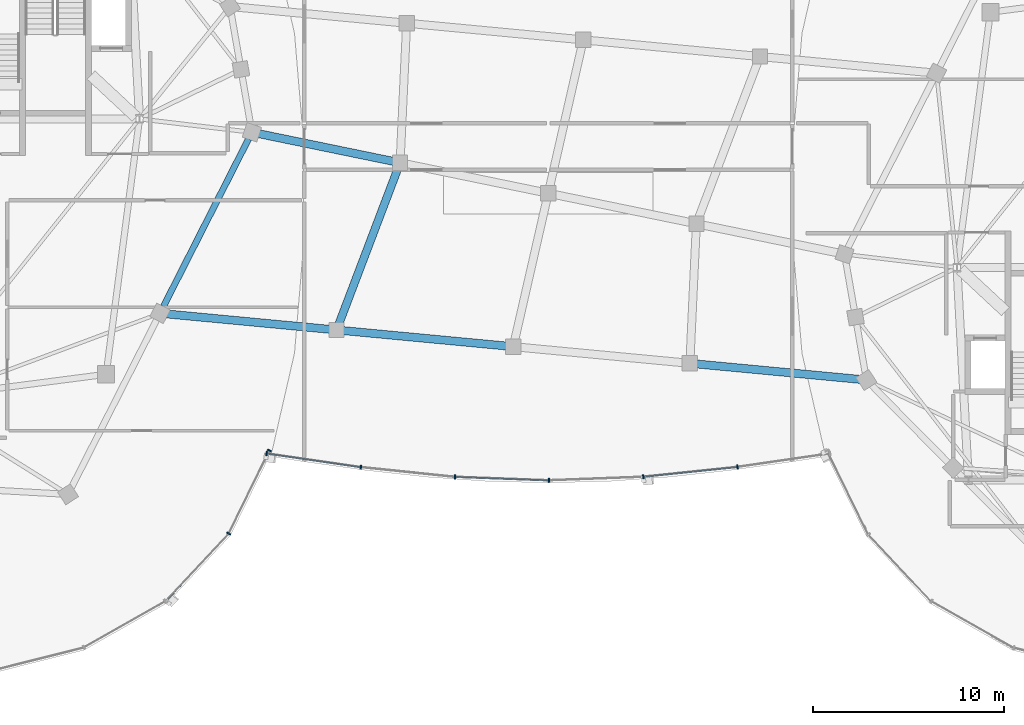
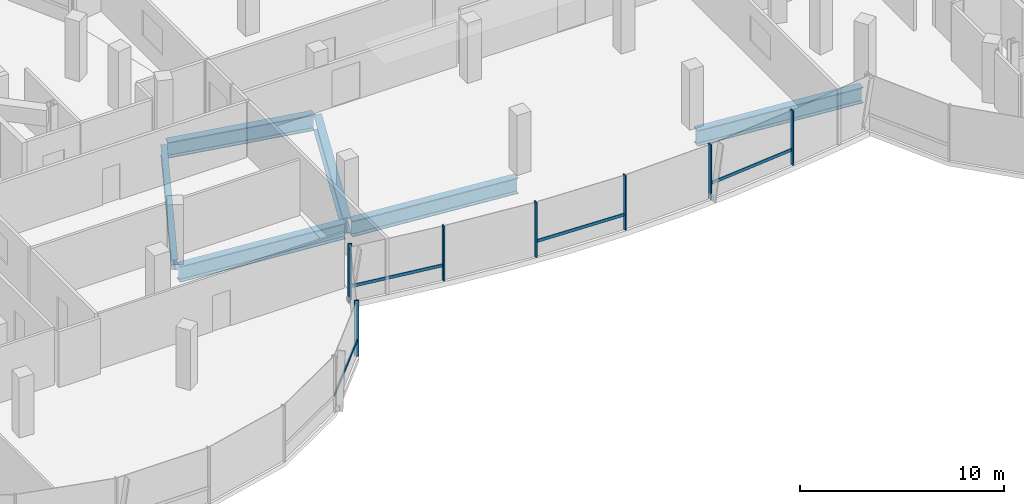
# One storey, part 4 of 26: 12 members, 6 beams, 2 elements without a shape of their own.
"""IFC4 building model written with IfcOpenShell, lengths in metres."""

from ifc_helpers import new_model, si_unit, direction, frame, origin, origin_2d, place, context, subcontext, project, spatial, rectangle, i_section, extrude, material, material_profile, profile_set, type_object, element, aggregate, save


model = new_model("IFC4")

# Units and contexts
model_context = context("Model", 3, precision=1e-05, world=origin(), true_north=direction((0.0, 1.0)))
body_context = subcontext(model_context, "Body", "Model", "MODEL_VIEW")
ifc_project = project(units=[si_unit("LENGTHUNIT", "METRE"), si_unit("AREAUNIT", "SQUARE_METRE"), si_unit("VOLUMEUNIT", "CUBIC_METRE"), si_unit("PLANEANGLEUNIT", "RADIAN"), si_unit("MASSUNIT", "GRAM", prefix="KILO"), si_unit("THERMODYNAMICTEMPERATUREUNIT", "KELVIN"), si_unit("POWERUNIT", "WATT")], contexts=[model_context])

# Site, building, storey
site_placement = place(None, origin())
site = spatial("IfcSite", under=ifc_project, at=site_placement, CompositionType="ELEMENT")
building_placement = place(site_placement, origin())
building = spatial("IfcBuilding", under=site, at=building_placement, Name="Cundina Bronze Exchange", CompositionType="ELEMENT")
storey_placement = place(building_placement, frame((0.0, 0.0, 243.199951171875)))
storey = spatial("IfcBuildingStorey", under=building, at=storey_placement, Name="L64", CompositionType="ELEMENT", Elevation=243.199951171875)

# Beams
ifc_material_1 = material(Name="Steel ASTM A992 Grade 50", Category="steel")
ifc_material_profile_1 = material_profile(ifc_material_1, i_section(OverallWidth=0.324951171875, OverallDepth=0.615966796875, WebThickness=0.013916015625, FlangeThickness=0.021484375, FilletRadius=0.01611328125, at=origin_2d()), Name="W24X117", Category="steel")
ifc_profile_set_1 = profile_set([ifc_material_profile_1], Name="Steel ASTM A992 Grade 50")
beam_type_1 = type_object("IfcBeamType", Name="BM-RING-W24", PredefinedType="USERDEFINED", material=ifc_profile_set_1)
beam_1_placement = place(storey_placement, frame((-20.19921875, -5.9541015625, -0.56787109375), z_axis=(0.452839263805, 0.891592171991, 0.0), x_axis=(-0.891592171991, 0.452839263805, 0.0)))
element("IfcBeam", 1, at=beam_1_placement, inside=storey, type_object=beam_type_1, Name="L64 W Perimeter Ring Girder 13", ObjectType="GIRDER", PredefinedType="USERDEFINED", context=body_context, shape_type="SweptSolid", body=[
    extrude(i_section(OverallWidth=0.324951171875, OverallDepth=0.615966796875, WebThickness=0.013916015625, FlangeThickness=0.021484375, FilletRadius=0.01611328125, at=origin_2d()), origin(), (0.0, 0.0, 1.0), 9.879150390625),
])
ifc_material_profile_2 = material_profile(ifc_material_1, i_section(OverallWidth=0.423095703125, OverallDepth=0.947998046875, WebThickness=0.02392578125, FlangeThickness=0.042724609375, FilletRadius=0.02392578125, at=origin_2d()), Name="W36X302", Category="steel")
ifc_profile_set_2 = profile_set([ifc_material_profile_2], Name="Steel ASTM A992 Grade 50")
beam_type_2 = type_object("IfcBeamType", Name="BM-WRN-W36A", PredefinedType="USERDEFINED", material=ifc_profile_set_2)
for number, where, z_axis, x_axis, name in (
    (2, (-20.19580078125, -6.31689453125, -0.7939453125), (0.995572136276, -0.094000646124, 0.0), (0.094000646124, 0.995572136276, 0.0), "L64 Sky-Gate Longitudinal Girder Y1-P1"),
    (3, (-10.927001953125, -7.19189453125, -0.7939453125), (0.995572136276, -0.094000646124, 0.0), (0.094000646124, 0.995572136276, 0.0), "L64 Sky-Gate Longitudinal Girder Y1-P2"),
):
    element("IfcBeam", number, at=place(storey_placement, frame(where, z_axis=z_axis, x_axis=x_axis)), inside=storey, type_object=beam_type_2, Name=name, ObjectType="GIRDER", PredefinedType="USERDEFINED", context=body_context, shape_type="SweptSolid", body=[
        extrude(i_section(OverallWidth=0.423095703125, OverallDepth=0.947998046875, WebThickness=0.02392578125, FlangeThickness=0.042724609375, FilletRadius=0.02392578125, at=origin_2d()), origin(), (0.0, 0.0, 1.0), 8.949951171875),
    ])
beam_2_placement = place(storey_placement, frame((7.610595703125, -8.94189453125, -0.7939453125), z_axis=(0.995571895232, -0.094003199007, 0.0), x_axis=(0.094003199007, 0.995571895232, 0.0)))
element("IfcBeam", 4, at=beam_2_placement, inside=storey, type_object=beam_type_2, Name="L64 Sky-Gate Longitudinal Girder Y1-P4", ObjectType="GIRDER", PredefinedType="USERDEFINED", context=body_context, shape_type="SweptSolid", body=[
    extrude(i_section(OverallWidth=0.423095703125, OverallDepth=0.947998046875, WebThickness=0.02392578125, FlangeThickness=0.042724609375, FilletRadius=0.02392578125, at=origin_2d()), origin(), (0.0, 0.0, 1.0), 8.94970703125),
])
beam_3_placement = place(storey_placement, frame((-15.373779296875, 3.163818359375, -0.7939453125), z_axis=(0.979471264571, -0.20158383338, 0.0), x_axis=(0.20158383338, 0.979471264571, 0.0)))
element("IfcBeam", 5, at=beam_3_placement, inside=storey, type_object=beam_type_2, Name="L64 Sky-Gate Longitudinal Girder Y2-P1", ObjectType="GIRDER", PredefinedType="USERDEFINED", context=body_context, shape_type="SweptSolid", body=[
    extrude(i_section(OverallWidth=0.423095703125, OverallDepth=0.947998046875, WebThickness=0.02392578125, FlangeThickness=0.042724609375, FilletRadius=0.02392578125, at=origin_2d()), origin(), (0.0, 0.0, 1.0), 7.577880859375),
])
ifc_material_profile_3 = material_profile(ifc_material_1, i_section(OverallWidth=0.41796875, OverallDepth=0.927001953125, WebThickness=0.019287109375, FlangeThickness=0.031982421875, FilletRadius=0.02392578125, at=origin_2d()), Name="W36X231", Category="steel")
ifc_profile_set_3 = profile_set([ifc_material_profile_3], Name="Steel ASTM A992 Grade 50")
beam_type_3 = type_object("IfcBeamType", Name="BM-WRN-W36B", PredefinedType="USERDEFINED", material=ifc_profile_set_3)
beam_4_placement = place(storey_placement, frame((-11.042236328125, -7.006591796875, -0.783447265625), z_axis=(0.354911890514, 0.934899753969, 0.0), x_axis=(-0.934899753969, 0.354911890514, 0.0)))
element("IfcBeam", 6, at=beam_4_placement, inside=storey, type_object=beam_type_3, Name="L64 Sky-Gate Transverse Girder X1-S", ObjectType="GIRDER", PredefinedType="USERDEFINED", context=body_context, shape_type="SweptSolid", body=[
    extrude(i_section(OverallWidth=0.41796875, OverallDepth=0.927001953125, WebThickness=0.019287109375, FlangeThickness=0.031982421875, FilletRadius=0.02392578125, at=origin_2d()), origin(), (0.0, 0.0, 1.0), 9.02587890625),
])

# Curtain wall, members
ifc_material_2 = material(Name="Anodised Bronze Aluminium 6063-T6", Category="aluminium")
curtain_wall_type = type_object("IfcCurtainWallType", Name="CWS-SKG-BRG", PredefinedType="NOTDEFINED", material=ifc_material_2)
curtain_wall_1_placement = place(storey_placement, origin())
curtain_wall_1 = element("IfcCurtainWall", 7, at=curtain_wall_1_placement, inside=storey, type_object=curtain_wall_type, Name="L64 CW-06 Curtain Wall Run CWR-L64-W4", PredefinedType="NOTDEFINED")
ifc_material_profile_4 = material_profile(ifc_material_2, rectangle(XDim=0.074951171875, YDim=0.219970703125, at=origin_2d()), Name="AL75X220", Category="aluminium")
ifc_profile_set_4 = profile_set([ifc_material_profile_4], Name="Anodised Bronze Aluminium 6063-T6")
member_type_1 = type_object("IfcMemberType", Name="CWM-MUL-220", PredefinedType="MULLION", material=ifc_profile_set_4)
member_1_placement = place(storey_placement, frame((-16.7666015625, -17.856689453125, 0.0), z_axis=(0.0, 0.0, 1.0), x_axis=(0.440566004113, 0.897720221461, 0.0)))
member_1 = element("IfcMember", 8, at=member_1_placement, type_object=member_type_1, Name="CW-06 Mullion 2", PredefinedType="MULLION", context=body_context, shape_type="SweptSolid", body=[
    extrude(rectangle(XDim=0.074951171875, YDim=0.219970703125, at=origin_2d()), origin(), (0.0, 0.0, 1.0), 3.340087890625),
])
member_2_placement = place(storey_placement, frame((-14.630859375, -13.50390625, 0.0), z_axis=(0.0, 0.0, 1.0), x_axis=(0.440566004113, 0.897720221461, 0.0)))
member_2 = element("IfcMember", 9, at=member_2_placement, type_object=member_type_1, Name="CW-06 End Mullion", PredefinedType="MULLION", context=body_context, shape_type="SweptSolid", body=[
    extrude(rectangle(XDim=0.074951171875, YDim=0.219970703125, at=origin_2d()), origin(), (0.0, 0.0, 1.0), 3.340087890625),
])

curtain_wall_2_placement = place(storey_placement, origin())
curtain_wall_2 = element("IfcCurtainWall", 10, at=curtain_wall_2_placement, inside=storey, type_object=curtain_wall_type, Name="L64 CW-06 Curtain Wall Run CWR-L64-BRGS", PredefinedType="NOTDEFINED")
member_3_placement = place(storey_placement, frame((-14.779296875, -13.658935546875, 0.0), z_axis=(0.0, 0.0, 1.0), x_axis=(0.989525789069, -0.144356201001, 0.0)))
member_3 = element("IfcMember", 11, at=member_3_placement, type_object=member_type_1, Name="CW-06 Mullion 1", PredefinedType="MULLION", context=body_context, shape_type="SweptSolid", body=[
    extrude(rectangle(XDim=0.074951171875, YDim=0.219970703125, at=origin_2d()), origin(), (0.0, 0.0, 1.0), 3.280029296875),
])
member_4_placement = place(storey_placement, frame((-9.83447265625, -14.378173828125, 0.0), z_axis=(0.0, 0.0, 1.0), x_axis=(0.994666875153, -0.103139747302, 0.0)))
member_4 = element("IfcMember", 12, at=member_4_placement, type_object=member_type_1, Name="CW-06 Mullion 2", PredefinedType="MULLION", context=body_context, shape_type="SweptSolid", body=[
    extrude(rectangle(XDim=0.074951171875, YDim=0.219970703125, at=origin_2d()), origin(), (0.0, 0.0, 1.0), 3.280029296875),
])
member_5_placement = place(storey_placement, frame((-4.892578125, -14.88720703125, 0.0), z_axis=(0.0, 0.0, 1.0), x_axis=(0.999302568116, -0.037341362551, 0.0)))
member_5 = element("IfcMember", 13, at=member_5_placement, type_object=member_type_1, Name="CW-06 Mullion 3", PredefinedType="MULLION", context=body_context, shape_type="SweptSolid", body=[
    extrude(rectangle(XDim=0.074951171875, YDim=0.219970703125, at=origin_2d()), origin(), (0.0, 0.0, 1.0), 3.280029296875),
])
member_6_placement = place(storey_placement, frame((0.047607421875, -15.068115234375, 0.0), z_axis=(0.0, 0.0, 1.0), x_axis=(0.999302568116, 0.037341362551, 0.0)))
member_6 = element("IfcMember", 14, at=member_6_placement, type_object=member_type_1, Name="CW-06 Mullion 4", PredefinedType="MULLION", context=body_context, shape_type="SweptSolid", body=[
    extrude(rectangle(XDim=0.074951171875, YDim=0.219970703125, at=origin_2d()), origin(), (0.0, 0.0, 1.0), 3.280029296875),
])
member_7_placement = place(storey_placement, frame((4.98876953125, -14.88037109375, 0.0), z_axis=(0.0, 0.0, 1.0), x_axis=(0.994666875153, 0.103139747302, 0.0)))
member_7 = element("IfcMember", 15, at=member_7_placement, type_object=member_type_1, Name="CW-06 Mullion 5", PredefinedType="MULLION", context=body_context, shape_type="SweptSolid", body=[
    extrude(rectangle(XDim=0.074951171875, YDim=0.219970703125, at=origin_2d()), origin(), (0.0, 0.0, 1.0), 3.280029296875),
])
member_8_placement = place(storey_placement, frame((9.93310546875, -14.36572265625, 0.0), z_axis=(0.0, 0.0, 1.0), x_axis=(0.989525789069, 0.144356201001, 0.0)))
member_8 = element("IfcMember", 16, at=member_8_placement, type_object=member_type_1, Name="CW-06 Mullion 6", PredefinedType="MULLION", context=body_context, shape_type="SweptSolid", body=[
    extrude(rectangle(XDim=0.074951171875, YDim=0.219970703125, at=origin_2d()), origin(), (0.0, 0.0, 1.0), 3.280029296875),
])

# Member
ifc_material_profile_5 = material_profile(ifc_material_2, rectangle(XDim=0.070068359375, YDim=0.179931640625, at=origin_2d()), Name="AL70X180", Category="aluminium")
ifc_profile_set_5 = profile_set([ifc_material_profile_5], Name="Anodised Bronze Aluminium 6063-T6")
member_type_2 = type_object("IfcMemberType", Name="CWM-TRN-180", PredefinedType="USERDEFINED", material=ifc_profile_set_5)
member_9_placement = place(storey_placement, frame((-20.031494140625, -21.349609375, 0.920166015625), z_axis=(0.684328474899, 0.729173873944, 0.0), x_axis=(-0.729173873944, 0.684328474899, 0.0)))
member_9 = element("IfcMember", 17, at=member_9_placement, type_object=member_type_2, Name="CW-06 Spandrel Transom 1", ObjectType="TRANSOM", PredefinedType="USERDEFINED", context=body_context, shape_type="SweptSolid", body=[
    extrude(rectangle(XDim=0.070068359375, YDim=0.179931640625, at=origin_2d()), origin(), (0.0, 0.0, 1.0), 4.758056640625),
])

aggregate(curtain_wall_1, [member_9, member_1, member_2])

member_10_placement = place(storey_placement, frame((-14.738525390625, -13.664794921875, 0.91845703125), z_axis=(0.989531497997, -0.144317062302, 0.0), x_axis=(0.144317062302, 0.989531497997, 0.0)))
member_10 = element("IfcMember", 18, at=member_10_placement, type_object=member_type_2, Name="CW-06 Spandrel Transom 1", ObjectType="TRANSOM", PredefinedType="USERDEFINED", context=body_context, shape_type="SweptSolid", body=[
    extrude(rectangle(XDim=0.070068359375, YDim=0.179931640625, at=origin_2d()), origin(), (0.0, 0.0, 1.0), 4.8974609375),
])

member_11_placement = place(storey_placement, frame((-4.8515625, -14.888671875, 0.91845703125), z_axis=(0.999303683555, -0.037311500026, 0.0), x_axis=(0.037311500026, 0.999303683555, 0.0)))
member_11 = element("IfcMember", 19, at=member_11_placement, type_object=member_type_2, Name="CW-06 Spandrel Transom 3", ObjectType="TRANSOM", PredefinedType="USERDEFINED", context=body_context, shape_type="SweptSolid", body=[
    extrude(rectangle(XDim=0.070068359375, YDim=0.179931640625, at=origin_2d()), origin(), (0.0, 0.0, 1.0), 4.8486328125),
])

member_12_placement = place(storey_placement, frame((5.02978515625, -14.8759765625, 0.91845703125), z_axis=(0.994672497027, 0.103085516243, 0.0), x_axis=(-0.103085516243, 0.994672497027, 0.0)))
member_12 = element("IfcMember", 20, at=member_12_placement, type_object=member_type_2, Name="CW-06 Spandrel Transom 5", ObjectType="TRANSOM", PredefinedType="USERDEFINED", context=body_context, shape_type="SweptSolid", body=[
    extrude(rectangle(XDim=0.070068359375, YDim=0.179931640625, at=origin_2d()), origin(), (0.0, 0.0, 1.0), 4.87158203125),
])

aggregate(curtain_wall_2, [member_3, member_10, member_4, member_5, member_11, member_6, member_7, member_12, member_8])

save(model, "model.ifc")
